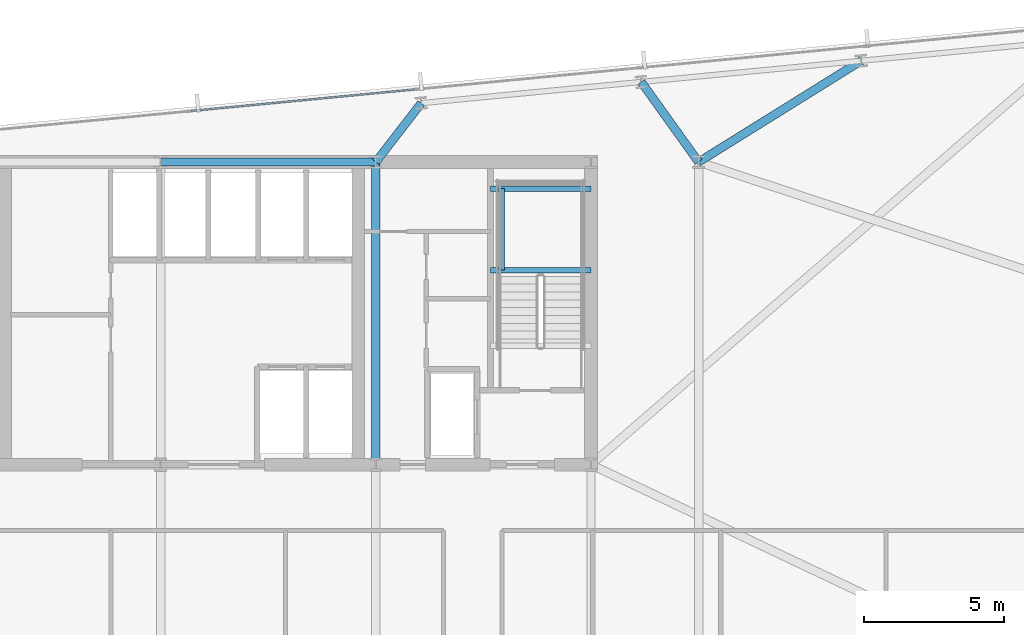
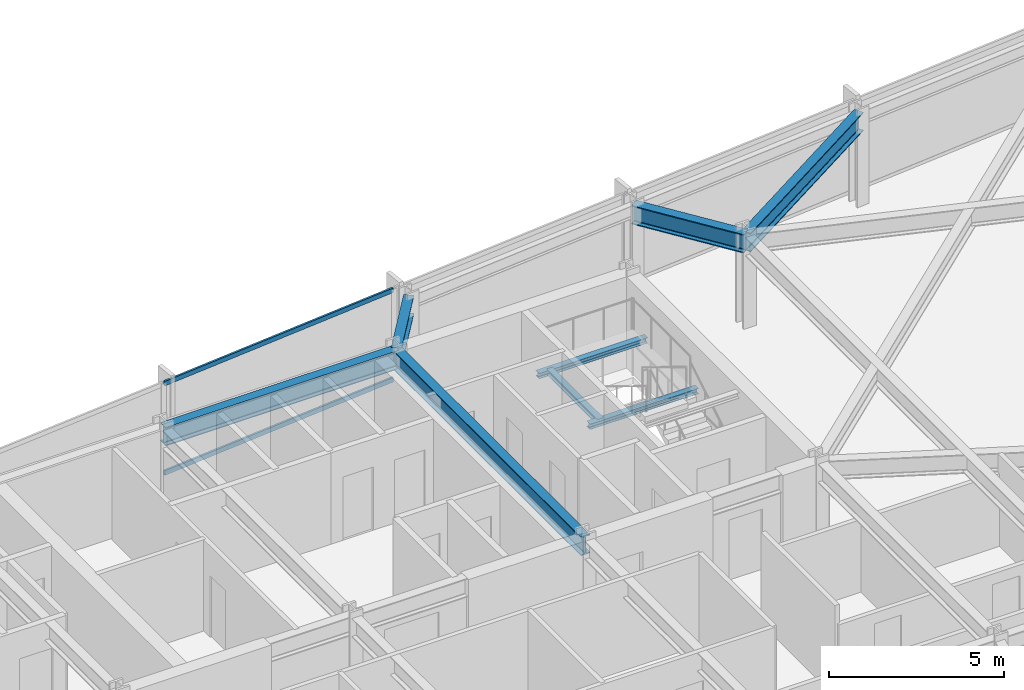
# One storey, part 20 of 33: 8 beams, 2 members, 1 element without a shape of its own.
"""IFC4 building model written with IfcOpenShell, lengths in metres."""

from ifc_helpers import new_model, si_unit, direction, frame, origin, origin_2d, place, context, subcontext, project, spatial, hollow_rectangle, i_section, extrude, material, material_profile, profile_set, type_object, element, aggregate, save


model = new_model("IFC4")

# Units and contexts
model_context = context("Model", 3, precision=1e-05, world=origin(), true_north=direction((0.0, 1.0)))
body_context = subcontext(model_context, "Body", "Model", "MODEL_VIEW")
ifc_project = project(units=[si_unit("LENGTHUNIT", "METRE"), si_unit("AREAUNIT", "SQUARE_METRE"), si_unit("VOLUMEUNIT", "CUBIC_METRE"), si_unit("PLANEANGLEUNIT", "RADIAN"), si_unit("MASSUNIT", "GRAM", prefix="KILO")], contexts=[model_context])

# Site, building, storey
site_placement = place(None, origin())
site = spatial("IfcSite", under=ifc_project, at=site_placement, CompositionType="ELEMENT")
building_placement = place(site_placement, origin())
building = spatial("IfcBuilding", under=site, at=building_placement, Name="Yelkora Congress Tower", CompositionType="ELEMENT")
storey_placement = place(building_placement, frame((0.0, 0.0, 110.10009765625)))
storey = spatial("IfcBuildingStorey", under=building, at=storey_placement, Name="L29", CompositionType="ELEMENT", Elevation=110.10009765625)

# Beams
ifc_material_1 = material(Name="Steel S355J2", Category="steel")
ifc_material_profile_1 = material_profile(ifc_material_1, i_section(OverallWidth=0.300048828125, OverallDepth=0.64990234375, WebThickness=0.01611328125, FlangeThickness=0.031005859375, FilletRadius=0.027099609375, at=origin_2d()), Name="HEB 650")
ifc_profile_set_1 = profile_set([ifc_material_profile_1], Name="Steel S355J2")
beam_type_1 = type_object("IfcBeamType", Name="BM-GIRD-HEB650", PredefinedType="BEAM", material=ifc_profile_set_1)
beam_1_placement = place(storey_placement, frame((38.39990234375, 46.199951171875, 2.85498046875), z_axis=(1.0, 0.0, 0.0), x_axis=(0.0, 1.0, 0.0)))
element("IfcBeam", 1, at=beam_1_placement, inside=storey, type_object=beam_type_1, Name="L29 Core North Girder 4", PredefinedType="BEAM", context=body_context, shape_type="SweptSolid", body=[
    extrude(i_section(OverallWidth=0.300048828125, OverallDepth=0.64990234375, WebThickness=0.01611328125, FlangeThickness=0.031005859375, FilletRadius=0.027099609375, at=origin_2d()), origin(), (0.0, 0.0, 1.0), 7.68017578125),
])
beam_2_placement = place(storey_placement, frame((46.080078125, 35.39990234375, 2.85498046875), z_axis=(0.0, 1.0, 0.0), x_axis=(-1.0, 0.0, 0.0)))
element("IfcBeam", 2, at=beam_2_placement, inside=storey, type_object=beam_type_1, Name="L29 Core Tie Girder MC-S4", PredefinedType="BEAM", context=body_context, shape_type="SweptSolid", body=[
    extrude(i_section(OverallWidth=0.300048828125, OverallDepth=0.64990234375, WebThickness=0.01611328125, FlangeThickness=0.031005859375, FilletRadius=0.027099609375, at=origin_2d()), origin(), (0.0, 0.0, 1.0), 10.800048828125),
])
beam_3_placement = place(storey_placement, frame((47.70458984375, 48.300537109375, 2.85498046875), z_axis=(-0.611761448665, -0.791042306029, 0.0), x_axis=(0.791042306029, -0.611761448665, 0.0)))
element("IfcBeam", 3, at=beam_3_placement, inside=storey, type_object=beam_type_1, Name="L29 Primary Frame Girder N05", PredefinedType="BEAM", context=body_context, shape_type="SweptSolid", body=[
    extrude(i_section(OverallWidth=0.300048828125, OverallDepth=0.64990234375, WebThickness=0.01611328125, FlangeThickness=0.031005859375, FilletRadius=0.027099609375, at=origin_2d()), origin(), (0.0, 0.0, 1.0), 2.655517578125),
])
beam_4_placement = place(storey_placement, frame((55.553955078125, 49.056396484375, 2.85498046875), z_axis=(0.582335305303, -0.81294870207, 0.0), x_axis=(0.81294870207, 0.582335305303, 0.0)))
element("IfcBeam", 4, at=beam_4_placement, inside=storey, type_object=beam_type_1, Name="L29 Primary Frame Girder N06", PredefinedType="BEAM", context=body_context, shape_type="SweptSolid", body=[
    extrude(i_section(OverallWidth=0.300048828125, OverallDepth=0.64990234375, WebThickness=0.01611328125, FlangeThickness=0.031005859375, FilletRadius=0.027099609375, at=origin_2d()), origin(), (0.0, 0.0, 1.0), 3.513671875),
])
beam_5_placement = place(storey_placement, frame((63.4033203125, 49.81201171875, 2.85498046875), z_axis=(-0.848980050527, -0.528424898929, 0.0), x_axis=(0.528424898929, -0.848980050527, 0.0)))
element("IfcBeam", 5, at=beam_5_placement, inside=storey, type_object=beam_type_1, Name="L29 Primary Frame Girder N07", PredefinedType="BEAM", context=body_context, shape_type="SweptSolid", body=[
    extrude(i_section(OverallWidth=0.300048828125, OverallDepth=0.64990234375, WebThickness=0.01611328125, FlangeThickness=0.031005859375, FilletRadius=0.027099609375, at=origin_2d()), origin(), (0.0, 0.0, 1.0), 6.83544921875),
])
ifc_material_profile_2 = material_profile(ifc_material_1, i_section(OverallWidth=0.199951171875, OverallDepth=0.18994140625, WebThickness=0.006591796875, FlangeThickness=0.010009765625, FilletRadius=0.01806640625, at=origin_2d()), Name="HEA 200")
ifc_profile_set_2 = profile_set([ifc_material_profile_2], Name="Steel S355J2")
beam_type_2 = type_object("IfcBeamType", Name="BM-LAND-HEA200", PredefinedType="BEAM", material=ifc_profile_set_2)
for number, where, z_axis, x_axis, name in (
    (6, (50.179931640625, 42.340087890625, 1.384521484375), (1.0, 0.0, 0.0), (0.0, 1.0, 0.0), "ST-02 L29 Landing Header Beam 1S"),
    (7, (50.179931640625, 45.25, 1.384521484375), (1.0, 0.0, 0.0), (0.0, 1.0, 0.0), "ST-02 L29 Landing Header Beam 1N"),
):
    element("IfcBeam", number, at=place(storey_placement, frame(where, z_axis=z_axis, x_axis=x_axis)), inside=storey, type_object=beam_type_2, Name=name, PredefinedType="BEAM", context=body_context, shape_type="SweptSolid", body=[
        extrude(i_section(OverallWidth=0.199951171875, OverallDepth=0.18994140625, WebThickness=0.006591796875, FlangeThickness=0.010009765625, FilletRadius=0.01806640625, at=origin_2d()), origin(), (0.0, 0.0, 1.0), 3.580078125),
    ])
beam_6_placement = place(storey_placement, frame((50.580078125, 42.340087890625, 1.384521484375), z_axis=(0.0, 1.0, 0.0), x_axis=(-1.0, 0.0, 0.0)))
element("IfcBeam", 8, at=beam_6_placement, inside=storey, type_object=beam_type_2, Name="ST-02 L29 Landing Trimmer Beam 1M", PredefinedType="BEAM", context=body_context, shape_type="SweptSolid", body=[
    extrude(i_section(OverallWidth=0.199951171875, OverallDepth=0.18994140625, WebThickness=0.006591796875, FlangeThickness=0.010009765625, FilletRadius=0.01806640625, at=origin_2d()), origin(), (0.0, 0.0, 1.0), 2.909912109375),
])

# Curtain wall, members
ifc_material_2 = material(Name="Anodised aluminium and insulated glass", Category="aluminium")
curtain_wall_type = type_object("IfcCurtainWallType", Name="CW-SYS-B2", PredefinedType="NOTDEFINED", material=ifc_material_2)
curtain_wall_placement = place(storey_placement, origin())
curtain_wall = element("IfcCurtainWall", 9, at=curtain_wall_placement, inside=storey, type_object=curtain_wall_type, Name="L29 Unitised Curtain Wall 10 (3)", PredefinedType="NOTDEFINED")
ifc_material_3 = material(Name="Anodised aluminium 6063-T6", Category="aluminium")
ifc_material_profile_3 = material_profile(ifc_material_3, hollow_rectangle(XDim=0.06494140625, YDim=0.159912109375, WallThickness=0.00390625, at=origin_2d()), Name="ALU 65x160x4")
ifc_profile_set_3 = profile_set([ifc_material_profile_3], Name="Anodised aluminium 6063-T6")
member_type = type_object("IfcMemberType", Name="MEM-TR-B2", PredefinedType="USERDEFINED", material=ifc_profile_set_3)
member_1_placement = place(storey_placement, frame((39.48681640625, 48.021728515625, 0.032470703125), z_axis=(0.995397513894, 0.095832089266, 0.0), x_axis=(-0.095832089266, 0.995397513894, 0.0)))
member_1 = element("IfcMember", 10, at=member_1_placement, type_object=member_type, Name="CW-B2 transom 3.1", ObjectType="TRANSOM", PredefinedType="USERDEFINED", context=body_context, shape_type="SweptSolid", body=[
    extrude(hollow_rectangle(XDim=0.06494140625, YDim=0.159912109375, WallThickness=0.00390625, at=origin_2d()), origin(), (0.0, 0.0, 1.0), 8.007080078125),
])
member_2_placement = place(storey_placement, frame((39.48681640625, 48.021728515625, 3.1474609375), z_axis=(0.995397513894, 0.095832089266, 0.0), x_axis=(-0.095832089266, 0.995397513894, 0.0)))
member_2 = element("IfcMember", 11, at=member_2_placement, type_object=member_type, Name="CW-B2 transom 3.2", ObjectType="TRANSOM", PredefinedType="USERDEFINED", context=body_context, shape_type="SweptSolid", body=[
    extrude(hollow_rectangle(XDim=0.06494140625, YDim=0.159912109375, WallThickness=0.00390625, at=origin_2d()), origin(), (0.0, 0.0, 1.0), 8.007080078125),
])
aggregate(curtain_wall, [member_1, member_2])

save(model, "model.ifc")
